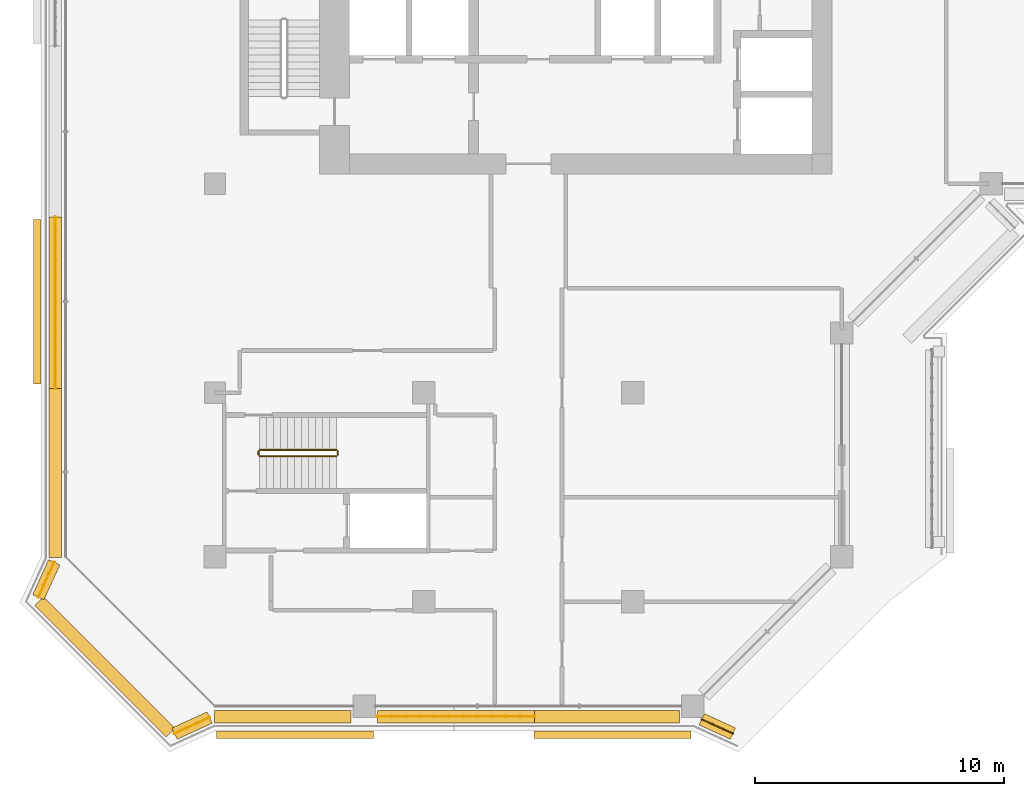
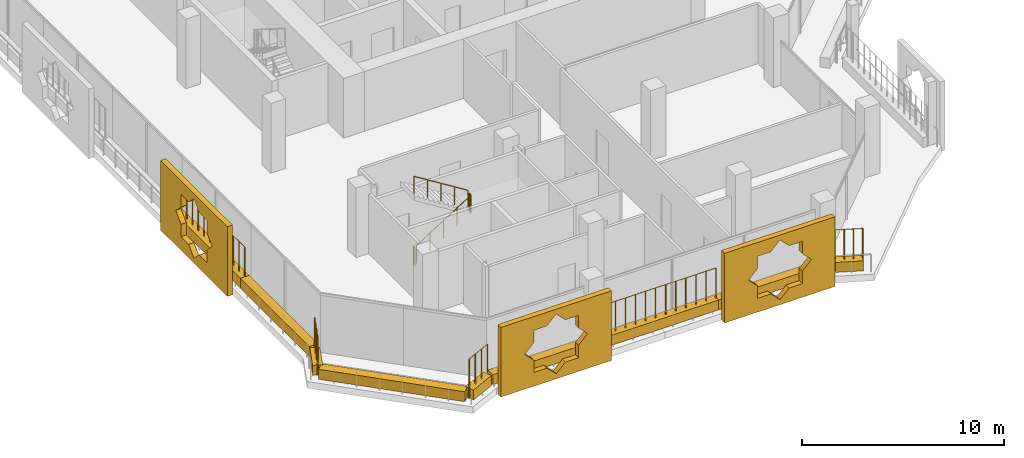
# One storey, part 16 of 23: 12 coverings, 9 railings.
"""IFC4 building model written with IfcOpenShell, lengths in metres."""

from ifc_helpers import new_model, si_unit, direction, frame, origin, origin_2d, place, context, subcontext, project, spatial, polyline, rectangle, circle, outline, extrude, material, material_profile, profile_set, type_object, element, save


model = new_model("IFC4")

# Units and contexts
model_context = context("Model", 3, precision=1e-05, world=origin(), true_north=direction((0.0, 1.0)))
body_context = subcontext(model_context, "Body", "Model", "MODEL_VIEW")
ifc_project = project(units=[si_unit("LENGTHUNIT", "METRE"), si_unit("AREAUNIT", "SQUARE_METRE"), si_unit("VOLUMEUNIT", "CUBIC_METRE"), si_unit("PLANEANGLEUNIT", "RADIAN"), si_unit("MASSUNIT", "GRAM", prefix="KILO")], contexts=[model_context])

# Site, building, storey
site_placement = place(None, origin())
site = spatial("IfcSite", under=ifc_project, at=site_placement, CompositionType="ELEMENT")
building_placement = place(site_placement, origin())
building = spatial("IfcBuilding", under=site, at=building_placement, Name="Kawkab Arch Medical Tower", CompositionType="ELEMENT")
storey_placement = place(building_placement, frame((0.0, 0.0, 247.39990234375)))
storey = spatial("IfcBuildingStorey", under=building, at=storey_placement, Name="L57", CompositionType="ELEMENT", Elevation=247.39990234375)

# Coverings
ifc_material_1 = material(Name="Bronze anodised aluminium mashrabiya panel, eight-point star pattern", Category="aluminium")
ifc_material_profile_1 = material_profile(ifc_material_1, outline(polyline([(-3.14990234375, -2.10009765625), (3.14990234375, -2.10009765625), (3.14990234375, 2.10009765625), (-3.14990234375, 2.10009765625), (-3.14990234375, -2.10009765625)]), holes=[polyline([(1.800048828125, 0.0), (1.272705078125, 0.527099609375), (1.272705078125, 1.272705078125), (0.527099609375, 1.272705078125), (0.0, 1.800048828125), (-0.527099609375, 1.272705078125), (-1.272705078125, 1.272705078125), (-1.272705078125, 0.527099609375), (-1.800048828125, 0.0), (-1.272705078125, -0.527099609375), (-1.272705078125, -1.272705078125), (-0.527099609375, -1.272705078125), (0.0, -1.800048828125), (0.527099609375, -1.272705078125), (1.272705078125, -1.272705078125), (1.272705078125, -0.527099609375), (1.800048828125, 0.0)])]), Name="Mashrabiya panel 6300x4200")
ifc_profile_set_1 = profile_set([ifc_material_profile_1], Name="Bronze anodised aluminium mashrabiya panel, eight-point star pattern")
covering_type_1 = type_object("IfcCoveringType", Name="Mashrabiya panel 6300 x 4200", PredefinedType="USERDEFINED", material=ifc_profile_set_1)
for number, where, z_axis, x_axis, name in (
    (1, (15.9814453125, -47.199951171875, 1.7001953125), (0.0, -1.0, 0.0), (1.0, 0.0, 0.0), "Mashrabiya panel L57.LOG-01-01.1"),
    (2, (3.218505859375, -47.199951171875, 1.7001953125), (0.0, -1.0, 0.0), (1.0, 0.0, 0.0), "Mashrabiya panel L57.LOG-01-01.2"),
):
    element("IfcCovering", number, at=place(storey_placement, frame(where, z_axis=z_axis, x_axis=x_axis)), inside=storey, type_object=covering_type_1, Name=name, ObjectType="SCREEN", PredefinedType="USERDEFINED", context=body_context, shape_type="SweptSolid", body=[
        extrude(outline(polyline([(-3.14990234375, -2.10009765625), (3.14990234375, -2.10009765625), (3.14990234375, 2.10009765625), (-3.14990234375, 2.10009765625), (-3.14990234375, -2.10009765625)]), holes=[polyline([(1.800048828125, 0.0), (1.272705078125, 0.527099609375), (1.272705078125, 1.272705078125), (0.527099609375, 1.272705078125), (0.0, 1.800048828125), (-0.527099609375, 1.272705078125), (-1.272705078125, 1.272705078125), (-1.272705078125, 0.527099609375), (-1.800048828125, 0.0), (-1.272705078125, -0.527099609375), (-1.272705078125, -1.272705078125), (-0.527099609375, -1.272705078125), (0.0, -1.800048828125), (0.527099609375, -1.272705078125), (1.272705078125, -1.272705078125), (1.272705078125, -0.527099609375), (1.800048828125, 0.0)])]), origin(), (0.0, 0.0, 1.0), 0.300048828125),
    ])
ifc_material_2 = material(Name="Bronze anodised aluminium mashrabiya panel, eight-point star pattern", Category="aluminium")
ifc_material_profile_2 = material_profile(ifc_material_2, outline(polyline([(-3.300048828125, -2.10009765625), (3.300048828125, -2.10009765625), (3.300048828125, 2.10009765625), (-3.300048828125, 2.10009765625), (-3.300048828125, -2.10009765625)]), holes=[polyline([(1.800048828125, 0.0), (1.272705078125, 0.527099609375), (1.272705078125, 1.272705078125), (0.527099609375, 1.272705078125), (0.0, 1.800048828125), (-0.527099609375, 1.272705078125), (-1.272705078125, 1.272705078125), (-1.272705078125, 0.527099609375), (-1.800048828125, 0.0), (-1.272705078125, -0.527099609375), (-1.272705078125, -1.272705078125), (-0.527099609375, -1.272705078125), (0.0, -1.800048828125), (0.527099609375, -1.272705078125), (1.272705078125, -1.272705078125), (1.272705078125, -0.527099609375), (1.800048828125, 0.0)])]), Name="Mashrabiya panel 6600x4200")
ifc_profile_set_2 = profile_set([ifc_material_profile_2], Name="Bronze anodised aluminium mashrabiya panel, eight-point star pattern")
covering_type_2 = type_object("IfcCoveringType", Name="Mashrabiya panel 6600 x 4200", PredefinedType="USERDEFINED", material=ifc_profile_set_2)
covering_1_placement = place(storey_placement, frame((-7.0, -29.94091796875, 1.7001953125), z_axis=(-1.0, 0.0, 0.0), x_axis=(0.0, -1.0, 0.0)))
element("IfcCovering", 3, at=covering_1_placement, inside=storey, type_object=covering_type_2, Name="Mashrabiya panel L57.LOG-01-01.3", ObjectType="SCREEN", PredefinedType="USERDEFINED", context=body_context, shape_type="SweptSolid", body=[
    extrude(outline(polyline([(-3.300048828125, -2.10009765625), (3.300048828125, -2.10009765625), (3.300048828125, 2.10009765625), (-3.300048828125, 2.10009765625), (-3.300048828125, -2.10009765625)]), holes=[polyline([(1.800048828125, 0.0), (1.272705078125, 0.527099609375), (1.272705078125, 1.272705078125), (0.527099609375, 1.272705078125), (0.0, 1.800048828125), (-0.527099609375, 1.272705078125), (-1.272705078125, 1.272705078125), (-1.272705078125, 0.527099609375), (-1.800048828125, 0.0), (-1.272705078125, -0.527099609375), (-1.272705078125, -1.272705078125), (-0.527099609375, -1.272705078125), (0.0, -1.800048828125), (0.527099609375, -1.272705078125), (1.272705078125, -1.272705078125), (1.272705078125, -0.527099609375), (1.800048828125, 0.0)])]), origin(), (0.0, 0.0, 1.0), 0.300048828125),
])
ifc_material_3 = material(Name="Planting soil in a precast trough", Category="concrete")
ifc_material_profile_3 = material_profile(ifc_material_3, rectangle(XDim=0.5, YDim=0.60009765625, at=origin_2d()), Name="Trough 500x600")
ifc_profile_set_3 = profile_set([ifc_material_profile_3], Name="Planting soil in a precast trough")
covering_type_3 = type_object("IfcCoveringType", Name="Planter trough 500 x 600", PredefinedType="USERDEFINED", material=ifc_profile_set_3)
covering_2_placement = place(storey_placement, frame((20.821044921875, -47.302001953125, 0.300048828125), z_axis=(-0.909831953447, 0.41497688669, 0.0), x_axis=(-0.41497688669, -0.909831953447, 0.0)))
element("IfcCovering", 4, at=covering_2_placement, inside=storey, type_object=covering_type_3, Name="Planter L57.LOG-01-01.1", ObjectType="PLANTER", PredefinedType="USERDEFINED", context=body_context, shape_type="SweptSolid", body=[
    extrude(rectangle(XDim=0.5, YDim=0.60009765625, at=origin_2d()), origin(), (0.0, 0.0, 1.0), 1.37841796875),
])
covering_3_placement = place(storey_placement, frame((18.669921875, -46.6201171875, 0.300048828125), z_axis=(-1.0, 0.0, 0.0), x_axis=(0.0, -1.0, 0.0)))
element("IfcCovering", 5, at=covering_3_placement, inside=storey, type_object=covering_type_3, Name="Planter L57.LOG-01-01.2", ObjectType="PLANTER", PredefinedType="USERDEFINED", context=body_context, shape_type="SweptSolid", body=[
    extrude(rectangle(XDim=0.5, YDim=0.60009765625, at=origin_2d()), origin(), (0.0, 0.0, 1.0), 5.827880859375),
])
covering_4_placement = place(storey_placement, frame((12.842041015625, -46.6201171875, 0.300048828125), z_axis=(-1.0, 0.0, 0.0), x_axis=(0.0, -1.0, 0.0)))
element("IfcCovering", 6, at=covering_4_placement, inside=storey, type_object=covering_type_3, Name="Planter L57.LOG-01-01.3", ObjectType="PLANTER", PredefinedType="USERDEFINED", context=body_context, shape_type="SweptSolid", body=[
    extrude(rectangle(XDim=0.5, YDim=0.60009765625, at=origin_2d()), origin(), (0.0, 0.0, 1.0), 6.31201171875),
])
covering_5_placement = place(storey_placement, frame((5.469970703125, -46.6201171875, 0.300048828125), z_axis=(-1.0, 0.0, 0.0), x_axis=(0.0, -1.0, 0.0)))
element("IfcCovering", 7, at=covering_5_placement, inside=storey, type_object=covering_type_3, Name="Planter L57.LOG-01-01.4", ObjectType="PLANTER", PredefinedType="USERDEFINED", context=body_context, shape_type="SweptSolid", body=[
    extrude(rectangle(XDim=0.5, YDim=0.60009765625, at=origin_2d()), origin(), (0.0, 0.0, 1.0), 5.495849609375),
])
covering_6_placement = place(storey_placement, frame((-0.217041015625, -46.660888671875, 0.300048828125), z_axis=(-0.909655525109, -0.415363486165, 0.0), x_axis=(0.415363486165, -0.909655525109, 0.0)))
element("IfcCovering", 8, at=covering_6_placement, inside=storey, type_object=covering_type_3, Name="Planter L57.LOG-01-01.5", ObjectType="PLANTER", PredefinedType="USERDEFINED", context=body_context, shape_type="SweptSolid", body=[
    extrude(rectangle(XDim=0.5, YDim=0.60009765625, at=origin_2d()), origin(), (0.0, 0.0, 1.0), 1.54345703125),
])
covering_7_placement = place(storey_placement, frame((-1.782958984375, -47.27294921875, 0.300048828125), z_axis=(-0.707106781187, 0.707106781187, 0.0), x_axis=(-0.707106781187, -0.707106781187, 0.0)))
element("IfcCovering", 9, at=covering_7_placement, inside=storey, type_object=covering_type_3, Name="Planter L57.LOG-01-01.6", ObjectType="PLANTER", PredefinedType="USERDEFINED", context=body_context, shape_type="SweptSolid", body=[
    extrude(rectangle(XDim=0.5, YDim=0.60009765625, at=origin_2d()), origin(), (0.0, 0.0, 1.0), 7.481201171875),
])
covering_8_placement = place(storey_placement, frame((-7.10205078125, -41.821044921875, 0.300048828125), z_axis=(0.415363486165, 0.909655525109, 0.0), x_axis=(-0.909655525109, 0.415363486165, 0.0)))
element("IfcCovering", 10, at=covering_8_placement, inside=storey, type_object=covering_type_3, Name="Planter L57.LOG-01-01.7", ObjectType="PLANTER", PredefinedType="USERDEFINED", context=body_context, shape_type="SweptSolid", body=[
    extrude(rectangle(XDim=0.5, YDim=0.60009765625, at=origin_2d()), origin(), (0.0, 0.0, 1.0), 1.54345703125),
])
covering_9_placement = place(storey_placement, frame((-6.419921875, -40.22607421875, 0.300048828125), z_axis=(0.0, 1.0, 0.0), x_axis=(-1.0, 0.0, 0.0)))
element("IfcCovering", 11, at=covering_9_placement, inside=storey, type_object=covering_type_3, Name="Planter L57.LOG-01-01.8", ObjectType="PLANTER", PredefinedType="USERDEFINED", context=body_context, shape_type="SweptSolid", body=[
    extrude(rectangle(XDim=0.5, YDim=0.60009765625, at=origin_2d()), origin(), (0.0, 0.0, 1.0), 6.7900390625),
])
covering_10_placement = place(storey_placement, frame((-6.419921875, -33.43603515625, 0.300048828125), z_axis=(0.0, 1.0, 0.0), x_axis=(-1.0, 0.0, 0.0)))
element("IfcCovering", 12, at=covering_10_placement, inside=storey, type_object=covering_type_3, Name="Planter L57.LOG-01-01.9", ObjectType="PLANTER", PredefinedType="USERDEFINED", context=body_context, shape_type="SweptSolid", body=[
    extrude(rectangle(XDim=0.5, YDim=0.60009765625, at=origin_2d()), origin(), (0.0, 0.0, 1.0), 6.89111328125),
])

# Railings
ifc_material_4 = material(Name="Bronze anodised aluminium trellis for climbing plants", Category="aluminium")
railing_type_1 = type_object("IfcRailingType", Name="Planting trellis 2400", PredefinedType="USERDEFINED", material=ifc_material_4)
railing_1_placement = place(storey_placement, frame((20.821044921875, -47.302001953125, 0.0)))
element("IfcRailing", 13, at=railing_1_placement, inside=storey, type_object=railing_type_1, Name="Planting trellis L57.LOG-01-01.1", ObjectType="TRELLIS", PredefinedType="USERDEFINED", context=body_context, shape_type="SweptSolid", body=[
    extrude(circle(Radius=0.01513671875, at=origin_2d()), frame((0.0, 0.0, 2.384765625), z_axis=(-0.909831953447, 0.41497688669, 0.0), x_axis=(-0.41497688669, -0.909831953447, 0.0)), (0.0, 0.0, 1.0), 1.37841796875),
    extrude(circle(Radius=0.030029296875, at=origin_2d()), origin(), (0.0, 0.0, 1.0), 2.369873046875),
    extrude(circle(Radius=0.030029296875, at=origin_2d()), frame((-0.41796875, 0.190673828125, 0.0)), (0.0, 0.0, 1.0), 2.369873046875),
    extrude(circle(Radius=0.030029296875, at=origin_2d()), frame((-0.836181640625, 0.38134765625, 0.0)), (0.0, 0.0, 1.0), 2.369873046875),
    extrude(circle(Radius=0.030029296875, at=origin_2d()), frame((-1.254150390625, 0.572021484375, 0.0)), (0.0, 0.0, 1.0), 2.369873046875),
])
railing_2_placement = place(storey_placement, frame((12.842041015625, -46.6201171875, 0.0)))
element("IfcRailing", 14, at=railing_2_placement, inside=storey, type_object=railing_type_1, Name="Planting trellis L57.LOG-01-01.3", ObjectType="TRELLIS", PredefinedType="USERDEFINED", context=body_context, shape_type="SweptSolid", body=[
    extrude(circle(Radius=0.01513671875, at=origin_2d()), frame((0.0, 0.0, 2.384765625), z_axis=(-1.0, 0.0, 0.0), x_axis=(0.0, -1.0, 0.0)), (0.0, 0.0, 1.0), 6.31201171875),
    extrude(circle(Radius=0.030029296875, at=origin_2d()), origin(), (0.0, 0.0, 1.0), 2.369873046875),
    extrude(circle(Radius=0.030029296875, at=origin_2d()), frame((-0.57373046875, 0.0, 0.0)), (0.0, 0.0, 1.0), 2.369873046875),
    extrude(circle(Radius=0.030029296875, at=origin_2d()), frame((-1.147705078125, 0.0, 0.0)), (0.0, 0.0, 1.0), 2.369873046875),
    extrude(circle(Radius=0.030029296875, at=origin_2d()), frame((-1.721435546875, 0.0, 0.0)), (0.0, 0.0, 1.0), 2.369873046875),
    extrude(circle(Radius=0.030029296875, at=origin_2d()), frame((-2.295166015625, 0.0, 0.0)), (0.0, 0.0, 1.0), 2.369873046875),
    extrude(circle(Radius=0.030029296875, at=origin_2d()), frame((-2.869140625, 0.0, 0.0)), (0.0, 0.0, 1.0), 2.369873046875),
    extrude(circle(Radius=0.030029296875, at=origin_2d()), frame((-3.44287109375, 0.0, 0.0)), (0.0, 0.0, 1.0), 2.369873046875),
    extrude(circle(Radius=0.030029296875, at=origin_2d()), frame((-4.016845703125, 0.0, 0.0)), (0.0, 0.0, 1.0), 2.369873046875),
    extrude(circle(Radius=0.030029296875, at=origin_2d()), frame((-4.590576171875, 0.0, 0.0)), (0.0, 0.0, 1.0), 2.369873046875),
    extrude(circle(Radius=0.030029296875, at=origin_2d()), frame((-5.164306640625, 0.0, 0.0)), (0.0, 0.0, 1.0), 2.369873046875),
    extrude(circle(Radius=0.030029296875, at=origin_2d()), frame((-5.73828125, 0.0, 0.0)), (0.0, 0.0, 1.0), 2.369873046875),
    extrude(circle(Radius=0.030029296875, at=origin_2d()), frame((-6.31201171875, 0.0, 0.0)), (0.0, 0.0, 1.0), 2.369873046875),
])
railing_3_placement = place(storey_placement, frame((-0.217041015625, -46.660888671875, 0.0)))
element("IfcRailing", 15, at=railing_3_placement, inside=storey, type_object=railing_type_1, Name="Planting trellis L57.LOG-01-01.5", ObjectType="TRELLIS", PredefinedType="USERDEFINED", context=body_context, shape_type="SweptSolid", body=[
    extrude(circle(Radius=0.01513671875, at=origin_2d()), frame((0.0, 0.0, 2.384765625), z_axis=(-0.909655525109, -0.415363486165, 0.0), x_axis=(0.415363486165, -0.909655525109, 0.0)), (0.0, 0.0, 1.0), 1.54345703125),
    extrude(circle(Radius=0.030029296875, at=origin_2d()), origin(), (0.0, 0.0, 1.0), 2.369873046875),
    extrude(circle(Radius=0.030029296875, at=origin_2d()), frame((-0.468017578125, -0.213623046875, 0.0)), (0.0, 0.0, 1.0), 2.369873046875),
    extrude(circle(Radius=0.030029296875, at=origin_2d()), frame((-0.93603515625, -0.427490234375, 0.0)), (0.0, 0.0, 1.0), 2.369873046875),
    extrude(circle(Radius=0.030029296875, at=origin_2d()), frame((-1.404052734375, -0.64111328125, 0.0)), (0.0, 0.0, 1.0), 2.369873046875),
])
railing_4_placement = place(storey_placement, frame((-7.10205078125, -41.821044921875, 0.0)))
element("IfcRailing", 16, at=railing_4_placement, inside=storey, type_object=railing_type_1, Name="Planting trellis L57.LOG-01-01.7", ObjectType="TRELLIS", PredefinedType="USERDEFINED", context=body_context, shape_type="SweptSolid", body=[
    extrude(circle(Radius=0.01513671875, at=origin_2d()), frame((0.0, 0.0, 2.384765625), z_axis=(0.415363486165, 0.909655525109, 0.0), x_axis=(-0.909655525109, 0.415363486165, 0.0)), (0.0, 0.0, 1.0), 1.54345703125),
    extrude(circle(Radius=0.030029296875, at=origin_2d()), origin(), (0.0, 0.0, 1.0), 2.369873046875),
    extrude(circle(Radius=0.030029296875, at=origin_2d()), frame((0.213623046875, 0.468017578125, 0.0)), (0.0, 0.0, 1.0), 2.369873046875),
    extrude(circle(Radius=0.030029296875, at=origin_2d()), frame((0.427490234375, 0.93603515625, 0.0)), (0.0, 0.0, 1.0), 2.369873046875),
    extrude(circle(Radius=0.030029296875, at=origin_2d()), frame((0.64111328125, 1.404052734375, 0.0)), (0.0, 0.0, 1.0), 2.369873046875),
])
railing_5_placement = place(storey_placement, frame((-6.419921875, -33.43603515625, 0.0)))
element("IfcRailing", 17, at=railing_5_placement, inside=storey, type_object=railing_type_1, Name="Planting trellis L57.LOG-01-01.9", ObjectType="TRELLIS", PredefinedType="USERDEFINED", context=body_context, shape_type="SweptSolid", body=[
    extrude(circle(Radius=0.01513671875, at=origin_2d()), frame((0.0, 0.0, 2.384765625), z_axis=(0.0, 1.0, 0.0), x_axis=(-1.0, 0.0, 0.0)), (0.0, 0.0, 1.0), 6.89111328125),
    extrude(circle(Radius=0.030029296875, at=origin_2d()), origin(), (0.0, 0.0, 1.0), 2.369873046875),
    extrude(circle(Radius=0.030029296875, at=origin_2d()), frame((0.0, 0.57421875, 0.0)), (0.0, 0.0, 1.0), 2.369873046875),
    extrude(circle(Radius=0.030029296875, at=origin_2d()), frame((0.0, 1.1484375, 0.0)), (0.0, 0.0, 1.0), 2.369873046875),
    extrude(circle(Radius=0.030029296875, at=origin_2d()), frame((0.0, 1.72265625, 0.0)), (0.0, 0.0, 1.0), 2.369873046875),
    extrude(circle(Radius=0.030029296875, at=origin_2d()), frame((0.0, 2.297119140625, 0.0)), (0.0, 0.0, 1.0), 2.369873046875),
    extrude(circle(Radius=0.030029296875, at=origin_2d()), frame((0.0, 2.871337890625, 0.0)), (0.0, 0.0, 1.0), 2.369873046875),
    extrude(circle(Radius=0.030029296875, at=origin_2d()), frame((0.0, 3.445556640625, 0.0)), (0.0, 0.0, 1.0), 2.369873046875),
    extrude(circle(Radius=0.030029296875, at=origin_2d()), frame((0.0, 4.019775390625, 0.0)), (0.0, 0.0, 1.0), 2.369873046875),
    extrude(circle(Radius=0.030029296875, at=origin_2d()), frame((0.0, 4.593994140625, 0.0)), (0.0, 0.0, 1.0), 2.369873046875),
    extrude(circle(Radius=0.030029296875, at=origin_2d()), frame((0.0, 5.16845703125, 0.0)), (0.0, 0.0, 1.0), 2.369873046875),
    extrude(circle(Radius=0.030029296875, at=origin_2d()), frame((0.0, 5.74267578125, 0.0)), (0.0, 0.0, 1.0), 2.369873046875),
    extrude(circle(Radius=0.030029296875, at=origin_2d()), frame((0.0, 6.31689453125, 0.0)), (0.0, 0.0, 1.0), 2.369873046875),
    extrude(circle(Radius=0.030029296875, at=origin_2d()), frame((0.0, 6.89111328125, 0.0)), (0.0, 0.0, 1.0), 2.369873046875),
])
ifc_material_5 = material(Name="Stainless steel", Category="steel")
railing_type_2 = type_object("IfcRailingType", Name="Stair guard 1100", PredefinedType="GUARDRAIL", material=ifc_material_5)
railing_6_placement = place(storey_placement, frame((1.800048828125, -36.14990234375, 0.175048828125)))
element("IfcRailing", 18, at=railing_6_placement, inside=storey, type_object=railing_type_2, Name="L57 ST6 stair guard 1", PredefinedType="GUARDRAIL", context=body_context, shape_type="SweptSolid", body=[
    extrude(circle(Radius=0.02392578125, at=origin_2d()), frame((0.0, 0.0, 1.076171875), z_axis=(0.847979421464, 0.0, 0.530029150871), x_axis=(0.0, 1.0, 0.0)), (0.0, 0.0, 1.0), 3.632080078125),
    extrude(circle(Radius=0.02099609375, at=origin_2d()), origin(), (0.0, 0.0, 1.0), 1.052001953125),
    extrude(circle(Radius=0.02099609375, at=origin_2d()), frame((0.77001953125, 0.0, 0.481201171875)), (0.0, 0.0, 1.0), 1.052001953125),
    extrude(circle(Radius=0.02099609375, at=origin_2d()), frame((1.5400390625, 0.0, 0.96240234375)), (0.0, 0.0, 1.0), 1.052001953125),
    extrude(circle(Radius=0.02099609375, at=origin_2d()), frame((2.309814453125, 0.0, 1.44384765625)), (0.0, 0.0, 1.0), 1.052001953125),
    extrude(circle(Radius=0.02099609375, at=origin_2d()), frame((3.079833984375, 0.0, 1.925048828125)), (0.0, 0.0, 1.0), 1.052001953125),
])
railing_7_placement = place(storey_placement, frame((4.929931640625, -36.10009765625, 2.10009765625)))
element("IfcRailing", 19, at=railing_7_placement, inside=storey, type_object=railing_type_2, Name="L57 ST6 stair guard 2", PredefinedType="GUARDRAIL", context=body_context, shape_type="SweptSolid", body=[
    extrude(circle(Radius=0.02392578125, at=origin_2d()), frame((0.0, 0.0, 1.076171875), z_axis=(0.0, 1.0, 0.0), x_axis=(-1.0, 0.0, 0.0)), (0.0, 0.0, 1.0), 0.150146484375),
    extrude(circle(Radius=0.02099609375, at=origin_2d()), origin(), (0.0, 0.0, 1.0), 1.052001953125),
    extrude(circle(Radius=0.02099609375, at=origin_2d()), frame((0.0, 0.150146484375, 0.0)), (0.0, 0.0, 1.0), 1.052001953125),
])
railing_8_placement = place(storey_placement, frame((4.8798828125, -35.89990234375, 2.275146484375)))
element("IfcRailing", 20, at=railing_8_placement, inside=storey, type_object=railing_type_2, Name="L57 ST6 stair guard 3", PredefinedType="GUARDRAIL", context=body_context, shape_type="SweptSolid", body=[
    extrude(circle(Radius=0.02392578125, at=origin_2d()), frame((0.0, 0.0, 1.076171875), z_axis=(-0.847979421464, 0.0, 0.530029150871), x_axis=(0.0, -1.0, 0.0)), (0.0, 0.0, 1.0), 3.632080078125),
    extrude(circle(Radius=0.02099609375, at=origin_2d()), origin(), (0.0, 0.0, 1.0), 1.052001953125),
    extrude(circle(Radius=0.02099609375, at=origin_2d()), frame((-0.77001953125, 0.0, 0.481201171875)), (0.0, 0.0, 1.0), 1.052001953125),
    extrude(circle(Radius=0.02099609375, at=origin_2d()), frame((-1.5400390625, 0.0, 0.96240234375)), (0.0, 0.0, 1.0), 1.052001953125),
    extrude(circle(Radius=0.02099609375, at=origin_2d()), frame((-2.309814453125, 0.0, 1.44384765625)), (0.0, 0.0, 1.0), 1.052001953125),
    extrude(circle(Radius=0.02099609375, at=origin_2d()), frame((-3.079833984375, 0.0, 1.925048828125)), (0.0, 0.0, 1.0), 1.052001953125),
])
railing_9_placement = place(storey_placement, frame((1.75, -36.10009765625, 0.0)))
element("IfcRailing", 21, at=railing_9_placement, inside=storey, type_object=railing_type_2, Name="L57 ST6 stair guard 4", PredefinedType="GUARDRAIL", context=body_context, shape_type="SweptSolid", body=[
    extrude(circle(Radius=0.02392578125, at=origin_2d()), frame((0.0, 0.0, 1.076171875), z_axis=(0.0, 1.0, 0.0), x_axis=(-1.0, 0.0, 0.0)), (0.0, 0.0, 1.0), 0.150146484375),
    extrude(circle(Radius=0.02099609375, at=origin_2d()), origin(), (0.0, 0.0, 1.0), 1.052001953125),
    extrude(circle(Radius=0.02099609375, at=origin_2d()), frame((0.0, 0.150146484375, 0.0)), (0.0, 0.0, 1.0), 1.052001953125),
])

save(model, "model.ifc")
